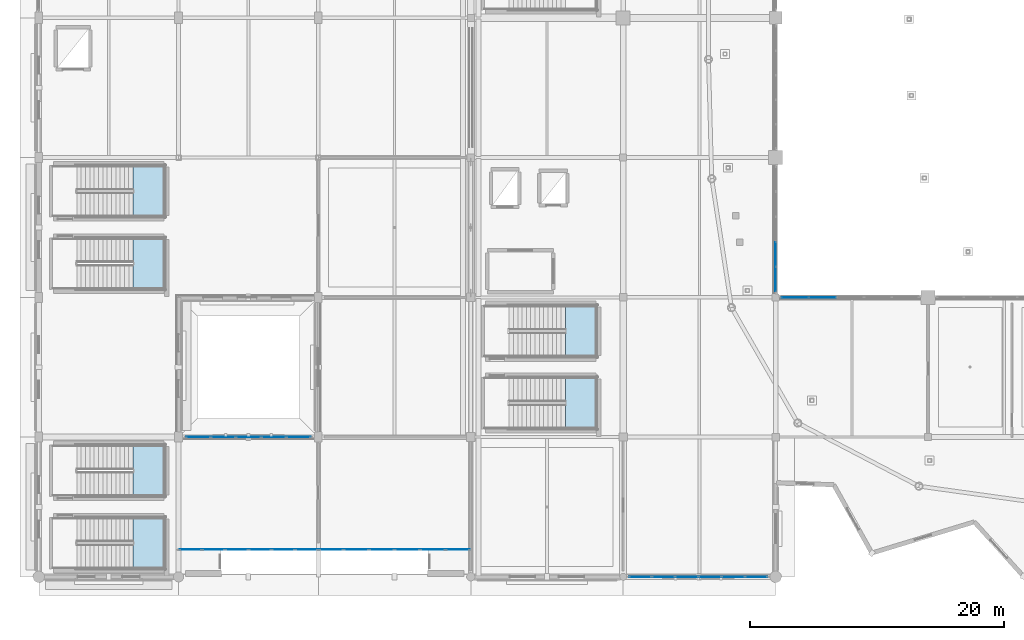
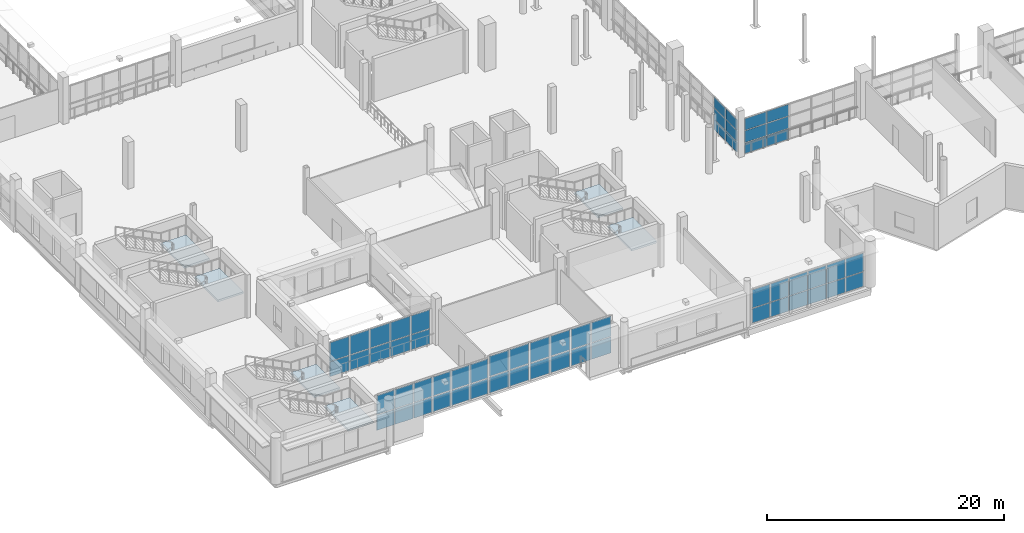
# One storey, part 73 of 143: 58 plates, 6 slabs, 12 elements without a shape of their own.
"""IFC4 building model written with IfcOpenShell, lengths in metres."""

from ifc_helpers import new_model, si_unit, direction, frame, origin, origin_2d, place, context, subcontext, project, spatial, polyline, rectangle, outline, extrude, material, layer, layer_set, type_object, element, aggregate, save


model = new_model("IFC4")

# Units and contexts
model_context = context("Model", 3, precision=1e-05, world=origin(), true_north=direction((0.0, 1.0)))
body_context = subcontext(model_context, "Body", "Model", "MODEL_VIEW")
ifc_project = project(units=[si_unit("LENGTHUNIT", "METRE"), si_unit("AREAUNIT", "SQUARE_METRE"), si_unit("VOLUMEUNIT", "CUBIC_METRE"), si_unit("PLANEANGLEUNIT", "RADIAN"), si_unit("MASSUNIT", "GRAM", prefix="KILO")], contexts=[model_context])

# Site, building, storey
site_placement = place(None, origin())
site = spatial("IfcSite", under=ifc_project, at=site_placement, CompositionType="ELEMENT")
building_placement = place(site_placement, origin())
building = spatial("IfcBuilding", under=site, at=building_placement, Name="Luwafu Chhajja Arena", CompositionType="ELEMENT")
storey_placement = place(building_placement, frame((0.0, 0.0, 5.39990234375)))
storey = spatial("IfcBuildingStorey", under=building, at=storey_placement, Name="L01", CompositionType="ELEMENT", Elevation=5.39990234375)

# Stair, slab
ifc_material_1 = material(Name="Concrete C35/45", Category="concrete")
stair_type_1 = type_object("IfcStairType", Name="Quadrant Protected Dog-Leg Stair 1920", PredefinedType="HALF_TURN_STAIR", material=ifc_material_1)
stair_1_placement = place(storey_placement, origin())
stair_1 = element("IfcStair", 1, at=stair_1_placement, inside=storey, type_object=stair_type_1, Name="L01 Protected Escape Stair ST-01", PredefinedType="HALF_TURN_STAIR")
ifc_layer_1 = layer(ifc_material_1, 0.199951171875, Name="Concrete C35/45")
ifc_layer_set_1 = layer_set([ifc_layer_1], Name="Concrete C35/45")
slab_type = type_object("IfcSlabType", Name="Escape Stair Landing Slab 200", PredefinedType="LANDING", material=ifc_layer_set_1)
slab_1_placement = place(storey_placement, frame((0.0, 0.0, 2.2001953125)))
slab_1 = element("IfcSlab", 2, at=slab_1_placement, type_object=slab_type, Name="ST-01 landing 1", PredefinedType="LANDING", context=body_context, shape_type="SweptSolid", body=[
    extrude(outline(polyline([(41.43994140625, 11.64990234375), (43.89990234375, 11.64990234375), (43.89990234375, 15.68994140625), (41.43994140625, 15.68994140625), (41.43994140625, 11.64990234375)])), origin(), (0.0, 0.0, 1.0), 0.199951171875),
])
aggregate(stair_1, [slab_1])

stair_2_placement = place(storey_placement, origin())
stair_2 = element("IfcStair", 3, at=stair_2_placement, inside=storey, type_object=stair_type_1, Name="L01 Protected Escape Stair ST-02", PredefinedType="HALF_TURN_STAIR")
slab_2_placement = place(storey_placement, frame((0.0, 0.0, 2.2001953125)))
slab_2 = element("IfcSlab", 4, at=slab_2_placement, type_object=slab_type, Name="ST-02 landing 1", PredefinedType="LANDING", context=body_context, shape_type="SweptSolid", body=[
    extrude(outline(polyline([(41.43994140625, 17.31005859375), (43.89990234375, 17.31005859375), (43.89990234375, 21.35009765625), (41.43994140625, 21.35009765625), (41.43994140625, 17.31005859375)])), origin(), (0.0, 0.0, 1.0), 0.199951171875),
])
aggregate(stair_2, [slab_2])

stair_type_2 = type_object("IfcStairType", Name="Wing Protected Dog-Leg Stair 1900", PredefinedType="HALF_TURN_STAIR", material=ifc_material_1)
stair_3_placement = place(storey_placement, origin())
stair_3 = element("IfcStair", 5, at=stair_3_placement, inside=storey, type_object=stair_type_2, Name="L01 Protected Escape Stair ST-13", PredefinedType="HALF_TURN_STAIR")
slab_3_placement = place(storey_placement, frame((0.0, 0.0, 2.2001953125)))
slab_3 = element("IfcSlab", 6, at=slab_3_placement, type_object=slab_type, Name="ST-13 landing 1", PredefinedType="LANDING", context=body_context, shape_type="SweptSolid", body=[
    extrude(outline(polyline([(7.419921875, 22.64990234375), (9.89990234375, 22.64990234375), (9.89990234375, 26.64990234375), (7.419921875, 26.64990234375), (7.419921875, 22.64990234375)])), origin(), (0.0, 0.0, 1.0), 0.199951171875),
])
aggregate(stair_3, [slab_3])

stair_4_placement = place(storey_placement, origin())
stair_4 = element("IfcStair", 7, at=stair_4_placement, inside=storey, type_object=stair_type_2, Name="L01 Protected Escape Stair ST-14", PredefinedType="HALF_TURN_STAIR")
slab_4_placement = place(storey_placement, frame((0.0, 0.0, 2.2001953125)))
slab_4 = element("IfcSlab", 8, at=slab_4_placement, type_object=slab_type, Name="ST-14 landing 1", PredefinedType="LANDING", context=body_context, shape_type="SweptSolid", body=[
    extrude(outline(polyline([(7.419921875, 28.35009765625), (9.89990234375, 28.35009765625), (9.89990234375, 32.35009765625), (7.419921875, 32.35009765625), (7.419921875, 28.35009765625)])), origin(), (0.0, 0.0, 1.0), 0.199951171875),
])
aggregate(stair_4, [slab_4])

stair_5_placement = place(storey_placement, origin())
stair_5 = element("IfcStair", 9, at=stair_5_placement, inside=storey, type_object=stair_type_2, Name="L01 Protected Escape Stair ST-17", PredefinedType="HALF_TURN_STAIR")
slab_5_placement = place(storey_placement, frame((0.0, 0.0, 2.2001953125)))
slab_5 = element("IfcSlab", 10, at=slab_5_placement, type_object=slab_type, Name="ST-17 landing 1", PredefinedType="LANDING", context=body_context, shape_type="SweptSolid", body=[
    extrude(outline(polyline([(7.419921875, 0.64990234375), (9.89990234375, 0.64990234375), (9.89990234375, 4.64990234375), (7.419921875, 4.64990234375), (7.419921875, 0.64990234375)])), origin(), (0.0, 0.0, 1.0), 0.199951171875),
])
aggregate(stair_5, [slab_5])

stair_6_placement = place(storey_placement, origin())
stair_6 = element("IfcStair", 11, at=stair_6_placement, inside=storey, type_object=stair_type_2, Name="L01 Protected Escape Stair ST-18", PredefinedType="HALF_TURN_STAIR")
slab_6_placement = place(storey_placement, frame((0.0, 0.0, 2.2001953125)))
slab_6 = element("IfcSlab", 12, at=slab_6_placement, type_object=slab_type, Name="ST-18 landing 1", PredefinedType="LANDING", context=body_context, shape_type="SweptSolid", body=[
    extrude(outline(polyline([(7.419921875, 6.35009765625), (9.89990234375, 6.35009765625), (9.89990234375, 10.35009765625), (7.419921875, 10.35009765625), (7.419921875, 6.35009765625)])), origin(), (0.0, 0.0, 1.0), 0.199951171875),
])
aggregate(stair_6, [slab_6])

# Curtain wall, plates
ifc_material_2 = material(Name="Anodised bronze aluminium", Category="aluminium")
curtain_wall_type_1 = type_object("IfcCurtainWallType", Name="Warm-Up Gallery Curtain Wall", PredefinedType="USERDEFINED", material=ifc_material_2)
curtain_wall_1_placement = place(storey_placement, origin())
curtain_wall_1 = element("IfcCurtainWall", 13, at=curtain_wall_1_placement, inside=storey, type_object=curtain_wall_type_1, Name="L01 Curtain Wall CWG-L01-H01_01", ObjectType="CURTAIN WALL", PredefinedType="USERDEFINED")
ifc_layer_2 = layer(ifc_material_2, 0.050048828125, Name="Anodised bronze aluminium")
ifc_layer_set_2 = layer_set([ifc_layer_2], Name="Anodised bronze aluminium")
plate_type_1 = type_object("IfcPlateType", Name="Insulated Bronze Spandrel Panel 50", PredefinedType="CURTAIN_PANEL", material=ifc_layer_set_2)
plate_1_placement = place(storey_placement, frame((12.549560546875, 11.0, 0.10009765625), z_axis=(0.0, 0.0, 1.0), x_axis=(1.0, 0.0, 0.0)))
plate_1 = element("IfcPlate", 14, at=plate_1_placement, type_object=plate_type_1, Name="CW-08 panel 1.1", PredefinedType="CURTAIN_PANEL", context=body_context, shape_type="SweptSolid", body=[
    extrude(rectangle(XDim=1.87890625, YDim=0.050048828125, at=origin_2d()), origin(), (0.0, 0.0, 1.0), 1.525390625),
])
plate_2_placement = place(storey_placement, frame((12.549560546875, 11.0, 1.69580078125), z_axis=(0.0, 0.0, 1.0), x_axis=(1.0, 0.0, 0.0)))
plate_2 = element("IfcPlate", 15, at=plate_2_placement, type_object=plate_type_1, Name="CW-08 panel 1.2", PredefinedType="CURTAIN_PANEL", context=body_context, shape_type="SweptSolid", body=[
    extrude(rectangle(XDim=1.87890625, YDim=0.050048828125, at=origin_2d()), origin(), (0.0, 0.0, 1.0), 1.924560546875),
])
plate_3_placement = place(storey_placement, frame((14.51611328125, 11.0, 0.10009765625), z_axis=(0.0, 0.0, 1.0), x_axis=(1.0, 0.0, 0.0)))
plate_3 = element("IfcPlate", 16, at=plate_3_placement, type_object=plate_type_1, Name="CW-08 panel 2.1", PredefinedType="CURTAIN_PANEL", context=body_context, shape_type="SweptSolid", body=[
    extrude(rectangle(XDim=1.9140625, YDim=0.050048828125, at=origin_2d()), origin(), (0.0, 0.0, 1.0), 1.525390625),
])
plate_4_placement = place(storey_placement, frame((14.51611328125, 11.0, 1.69580078125), z_axis=(0.0, 0.0, 1.0), x_axis=(1.0, 0.0, 0.0)))
plate_4 = element("IfcPlate", 17, at=plate_4_placement, type_object=plate_type_1, Name="CW-08 panel 2.2", PredefinedType="CURTAIN_PANEL", context=body_context, shape_type="SweptSolid", body=[
    extrude(rectangle(XDim=1.9140625, YDim=0.050048828125, at=origin_2d()), origin(), (0.0, 0.0, 1.0), 1.924560546875),
])
plate_5_placement = place(storey_placement, frame((16.5, 11.0, 0.10009765625), z_axis=(0.0, 0.0, 1.0), x_axis=(1.0, 0.0, 0.0)))
plate_5 = element("IfcPlate", 18, at=plate_5_placement, type_object=plate_type_1, Name="CW-08 panel 3.1", PredefinedType="CURTAIN_PANEL", context=body_context, shape_type="SweptSolid", body=[
    extrude(rectangle(XDim=1.9140625, YDim=0.050048828125, at=origin_2d()), origin(), (0.0, 0.0, 1.0), 1.525390625),
])
plate_6_placement = place(storey_placement, frame((16.5, 11.0, 1.69580078125), z_axis=(0.0, 0.0, 1.0), x_axis=(1.0, 0.0, 0.0)))
plate_6 = element("IfcPlate", 19, at=plate_6_placement, type_object=plate_type_1, Name="CW-08 panel 3.2", PredefinedType="CURTAIN_PANEL", context=body_context, shape_type="SweptSolid", body=[
    extrude(rectangle(XDim=1.9140625, YDim=0.050048828125, at=origin_2d()), origin(), (0.0, 0.0, 1.0), 1.924560546875),
])
plate_7_placement = place(storey_placement, frame((18.48388671875, 11.0, 0.10009765625), z_axis=(0.0, 0.0, 1.0), x_axis=(1.0, 0.0, 0.0)))
plate_7 = element("IfcPlate", 20, at=plate_7_placement, type_object=plate_type_1, Name="CW-08 panel 4.1", PredefinedType="CURTAIN_PANEL", context=body_context, shape_type="SweptSolid", body=[
    extrude(rectangle(XDim=1.9140625, YDim=0.050048828125, at=origin_2d()), origin(), (0.0, 0.0, 1.0), 1.525390625),
])
plate_8_placement = place(storey_placement, frame((18.48388671875, 11.0, 1.69580078125), z_axis=(0.0, 0.0, 1.0), x_axis=(1.0, 0.0, 0.0)))
plate_8 = element("IfcPlate", 21, at=plate_8_placement, type_object=plate_type_1, Name="CW-08 panel 4.2", PredefinedType="CURTAIN_PANEL", context=body_context, shape_type="SweptSolid", body=[
    extrude(rectangle(XDim=1.9140625, YDim=0.050048828125, at=origin_2d()), origin(), (0.0, 0.0, 1.0), 1.924560546875),
])
plate_9_placement = place(storey_placement, frame((20.450439453125, 11.0, 0.10009765625), z_axis=(0.0, 0.0, 1.0), x_axis=(1.0, 0.0, 0.0)))
plate_9 = element("IfcPlate", 22, at=plate_9_placement, type_object=plate_type_1, Name="CW-08 panel 5.1", PredefinedType="CURTAIN_PANEL", context=body_context, shape_type="SweptSolid", body=[
    extrude(rectangle(XDim=1.87890625, YDim=0.050048828125, at=origin_2d()), origin(), (0.0, 0.0, 1.0), 1.525390625),
])
plate_10_placement = place(storey_placement, frame((20.450439453125, 11.0, 1.69580078125), z_axis=(0.0, 0.0, 1.0), x_axis=(1.0, 0.0, 0.0)))
plate_10 = element("IfcPlate", 23, at=plate_10_placement, type_object=plate_type_1, Name="CW-08 panel 5.2", PredefinedType="CURTAIN_PANEL", context=body_context, shape_type="SweptSolid", body=[
    extrude(rectangle(XDim=1.87890625, YDim=0.050048828125, at=origin_2d()), origin(), (0.0, 0.0, 1.0), 1.924560546875),
])
aggregate(curtain_wall_1, [plate_1, plate_2, plate_3, plate_4, plate_5, plate_6, plate_7, plate_8, plate_9, plate_10])

curtain_wall_type_2 = type_object("IfcCurtainWallType", Name="Pishtaq Monumental Portal Curtain Wall", PredefinedType="USERDEFINED", material=ifc_material_2)
curtain_wall_2_placement = place(storey_placement, origin())
curtain_wall_2 = element("IfcCurtainWall", 24, at=curtain_wall_2_placement, inside=storey, type_object=curtain_wall_type_2, Name="L01 Curtain Wall CWG-L01-H01_00", ObjectType="CURTAIN WALL", PredefinedType="USERDEFINED")
ifc_material_3 = material(Name="Solar-control laminated glass", Category="glass")
ifc_layer_3 = layer(ifc_material_3, 0.0419921875, Name="Solar-control laminated glass")
ifc_layer_set_3 = layer_set([ifc_layer_3], Name="Solar-control laminated glass")
plate_type_2 = type_object("IfcPlateType", Name="Pishtaq Tall Laminated Glazed Panel 42", PredefinedType="CURTAIN_PANEL", material=ifc_layer_set_3)
plate_11_placement = place(storey_placement, frame((11.936767578125, 2.14990234375, 0.1103515625), z_axis=(0.0, 0.0, 1.0), x_axis=(1.0, 0.0, 0.0)))
plate_11 = element("IfcPlate", 25, at=plate_11_placement, type_object=plate_type_2, Name="CW-04 panel 1.1", PredefinedType="CURTAIN_PANEL", context=body_context, shape_type="SweptSolid", body=[
    extrude(rectangle(XDim=1.71337890625, YDim=0.0419921875, at=origin_2d()), origin(), (0.0, 0.0, 1.0), 1.555419921875),
])
plate_12_placement = place(storey_placement, frame((11.936767578125, 2.14990234375, 1.74560546875), z_axis=(0.0, 0.0, 1.0), x_axis=(1.0, 0.0, 0.0)))
plate_12 = element("IfcPlate", 26, at=plate_12_placement, type_object=plate_type_2, Name="CW-04 panel 1.2", PredefinedType="CURTAIN_PANEL", context=body_context, shape_type="SweptSolid", body=[
    extrude(rectangle(XDim=1.71337890625, YDim=0.0419921875, at=origin_2d()), origin(), (0.0, 0.0, 1.0), 1.964599609375),
])
plate_13_placement = place(storey_placement, frame((13.75, 2.14990234375, 0.1103515625), z_axis=(0.0, 0.0, 1.0), x_axis=(1.0, 0.0, 0.0)))
plate_13 = element("IfcPlate", 27, at=plate_13_placement, type_object=plate_type_2, Name="CW-04 panel 2.1", PredefinedType="CURTAIN_PANEL", context=body_context, shape_type="SweptSolid", body=[
    extrude(rectangle(XDim=1.75341796875, YDim=0.0419921875, at=origin_2d()), origin(), (0.0, 0.0, 1.0), 1.555419921875),
])
plate_14_placement = place(storey_placement, frame((13.75, 2.14990234375, 1.74560546875), z_axis=(0.0, 0.0, 1.0), x_axis=(1.0, 0.0, 0.0)))
plate_14 = element("IfcPlate", 28, at=plate_14_placement, type_object=plate_type_2, Name="CW-04 panel 2.2", PredefinedType="CURTAIN_PANEL", context=body_context, shape_type="SweptSolid", body=[
    extrude(rectangle(XDim=1.75341796875, YDim=0.0419921875, at=origin_2d()), origin(), (0.0, 0.0, 1.0), 1.964599609375),
])
plate_15_placement = place(storey_placement, frame((15.583251953125, 2.14990234375, 0.1103515625), z_axis=(0.0, 0.0, 1.0), x_axis=(1.0, 0.0, 0.0)))
plate_15 = element("IfcPlate", 29, at=plate_15_placement, type_object=plate_type_2, Name="CW-04 panel 3.1", PredefinedType="CURTAIN_PANEL", context=body_context, shape_type="SweptSolid", body=[
    extrude(rectangle(XDim=1.75341796875, YDim=0.0419921875, at=origin_2d()), origin(), (0.0, 0.0, 1.0), 1.555419921875),
])
plate_16_placement = place(storey_placement, frame((15.583251953125, 2.14990234375, 1.74560546875), z_axis=(0.0, 0.0, 1.0), x_axis=(1.0, 0.0, 0.0)))
plate_16 = element("IfcPlate", 30, at=plate_16_placement, type_object=plate_type_2, Name="CW-04 panel 3.2", PredefinedType="CURTAIN_PANEL", context=body_context, shape_type="SweptSolid", body=[
    extrude(rectangle(XDim=1.75341796875, YDim=0.0419921875, at=origin_2d()), origin(), (0.0, 0.0, 1.0), 1.964599609375),
])
plate_17_placement = place(storey_placement, frame((17.416748046875, 2.14990234375, 0.1103515625), z_axis=(0.0, 0.0, 1.0), x_axis=(1.0, 0.0, 0.0)))
plate_17 = element("IfcPlate", 31, at=plate_17_placement, type_object=plate_type_2, Name="CW-04 panel 4.1", PredefinedType="CURTAIN_PANEL", context=body_context, shape_type="SweptSolid", body=[
    extrude(rectangle(XDim=1.75341796875, YDim=0.0419921875, at=origin_2d()), origin(), (0.0, 0.0, 1.0), 1.555419921875),
])
plate_18_placement = place(storey_placement, frame((17.416748046875, 2.14990234375, 1.74560546875), z_axis=(0.0, 0.0, 1.0), x_axis=(1.0, 0.0, 0.0)))
plate_18 = element("IfcPlate", 32, at=plate_18_placement, type_object=plate_type_2, Name="CW-04 panel 4.2", PredefinedType="CURTAIN_PANEL", context=body_context, shape_type="SweptSolid", body=[
    extrude(rectangle(XDim=1.75341796875, YDim=0.0419921875, at=origin_2d()), origin(), (0.0, 0.0, 1.0), 1.964599609375),
])
plate_19_placement = place(storey_placement, frame((19.25, 2.14990234375, 0.1103515625), z_axis=(0.0, 0.0, 1.0), x_axis=(1.0, 0.0, 0.0)))
plate_19 = element("IfcPlate", 33, at=plate_19_placement, type_object=plate_type_2, Name="CW-04 panel 5.1", PredefinedType="CURTAIN_PANEL", context=body_context, shape_type="SweptSolid", body=[
    extrude(rectangle(XDim=1.75341796875, YDim=0.0419921875, at=origin_2d()), origin(), (0.0, 0.0, 1.0), 1.555419921875),
])
plate_20_placement = place(storey_placement, frame((19.25, 2.14990234375, 1.74560546875), z_axis=(0.0, 0.0, 1.0), x_axis=(1.0, 0.0, 0.0)))
plate_20 = element("IfcPlate", 34, at=plate_20_placement, type_object=plate_type_2, Name="CW-04 panel 5.2", PredefinedType="CURTAIN_PANEL", context=body_context, shape_type="SweptSolid", body=[
    extrude(rectangle(XDim=1.75341796875, YDim=0.0419921875, at=origin_2d()), origin(), (0.0, 0.0, 1.0), 1.964599609375),
])
plate_21_placement = place(storey_placement, frame((21.063232421875, 2.14990234375, 0.1103515625), z_axis=(0.0, 0.0, 1.0), x_axis=(1.0, 0.0, 0.0)))
plate_21 = element("IfcPlate", 35, at=plate_21_placement, type_object=plate_type_2, Name="CW-04 panel 6.1", PredefinedType="CURTAIN_PANEL", context=body_context, shape_type="SweptSolid", body=[
    extrude(rectangle(XDim=1.71337890625, YDim=0.0419921875, at=origin_2d()), origin(), (0.0, 0.0, 1.0), 1.555419921875),
])
plate_22_placement = place(storey_placement, frame((21.063232421875, 2.14990234375, 1.74560546875), z_axis=(0.0, 0.0, 1.0), x_axis=(1.0, 0.0, 0.0)))
plate_22 = element("IfcPlate", 36, at=plate_22_placement, type_object=plate_type_2, Name="CW-04 panel 6.2", PredefinedType="CURTAIN_PANEL", context=body_context, shape_type="SweptSolid", body=[
    extrude(rectangle(XDim=1.71337890625, YDim=0.0419921875, at=origin_2d()), origin(), (0.0, 0.0, 1.0), 1.964599609375),
])
aggregate(curtain_wall_2, [plate_11, plate_12, plate_13, plate_14, plate_15, plate_16, plate_17, plate_18, plate_19, plate_20, plate_21, plate_22])

curtain_wall_3_placement = place(storey_placement, origin())
curtain_wall_3 = element("IfcCurtainWall", 37, at=curtain_wall_3_placement, inside=storey, type_object=curtain_wall_type_2, Name="L01 Curtain Wall CWG-L01-H02_00", ObjectType="CURTAIN WALL", PredefinedType="USERDEFINED")
plate_23_placement = place(storey_placement, frame((23.02001953125, 2.14990234375, 0.110107421875), z_axis=(0.0, 0.0, 1.0), x_axis=(1.0, 0.0, 0.0)))
plate_23 = element("IfcPlate", 38, at=plate_23_placement, type_object=plate_type_2, Name="CW-04 panel 1.1", PredefinedType="CURTAIN_PANEL", context=body_context, shape_type="SweptSolid", body=[
    extrude(rectangle(XDim=1.8798828125, YDim=0.0419921875, at=origin_2d()), origin(), (0.0, 0.0, 1.0), 1.6455078125),
])
plate_24_placement = place(storey_placement, frame((23.02001953125, 2.14990234375, 1.83544921875), z_axis=(0.0, 0.0, 1.0), x_axis=(1.0, 0.0, 0.0)))
plate_24 = element("IfcPlate", 39, at=plate_24_placement, type_object=plate_type_2, Name="CW-04 panel 1.2", PredefinedType="CURTAIN_PANEL", context=body_context, shape_type="SweptSolid", body=[
    extrude(rectangle(XDim=1.8798828125, YDim=0.0419921875, at=origin_2d()), origin(), (0.0, 0.0, 1.0), 2.074462890625),
])
plate_25_placement = place(storey_placement, frame((25.0, 2.14990234375, 0.110107421875), z_axis=(0.0, 0.0, 1.0), x_axis=(1.0, 0.0, 0.0)))
plate_25 = element("IfcPlate", 40, at=plate_25_placement, type_object=plate_type_2, Name="CW-04 panel 2.1", PredefinedType="CURTAIN_PANEL", context=body_context, shape_type="SweptSolid", body=[
    extrude(rectangle(XDim=1.919921875, YDim=0.0419921875, at=origin_2d()), origin(), (0.0, 0.0, 1.0), 1.6455078125),
])
plate_26_placement = place(storey_placement, frame((25.0, 2.14990234375, 1.83544921875), z_axis=(0.0, 0.0, 1.0), x_axis=(1.0, 0.0, 0.0)))
plate_26 = element("IfcPlate", 41, at=plate_26_placement, type_object=plate_type_2, Name="CW-04 panel 2.2", PredefinedType="CURTAIN_PANEL", context=body_context, shape_type="SweptSolid", body=[
    extrude(rectangle(XDim=1.919921875, YDim=0.0419921875, at=origin_2d()), origin(), (0.0, 0.0, 1.0), 2.074462890625),
])
plate_27_placement = place(storey_placement, frame((27.0, 2.14990234375, 0.110107421875), z_axis=(0.0, 0.0, 1.0), x_axis=(1.0, 0.0, 0.0)))
plate_27 = element("IfcPlate", 42, at=plate_27_placement, type_object=plate_type_2, Name="CW-04 panel 3.1", PredefinedType="CURTAIN_PANEL", context=body_context, shape_type="SweptSolid", body=[
    extrude(rectangle(XDim=1.919921875, YDim=0.0419921875, at=origin_2d()), origin(), (0.0, 0.0, 1.0), 1.6455078125),
])
plate_28_placement = place(storey_placement, frame((27.0, 2.14990234375, 1.83544921875), z_axis=(0.0, 0.0, 1.0), x_axis=(1.0, 0.0, 0.0)))
plate_28 = element("IfcPlate", 43, at=plate_28_placement, type_object=plate_type_2, Name="CW-04 panel 3.2", PredefinedType="CURTAIN_PANEL", context=body_context, shape_type="SweptSolid", body=[
    extrude(rectangle(XDim=1.919921875, YDim=0.0419921875, at=origin_2d()), origin(), (0.0, 0.0, 1.0), 2.074462890625),
])
plate_29_placement = place(storey_placement, frame((29.0, 2.14990234375, 0.110107421875), z_axis=(0.0, 0.0, 1.0), x_axis=(1.0, 0.0, 0.0)))
plate_29 = element("IfcPlate", 44, at=plate_29_placement, type_object=plate_type_2, Name="CW-04 panel 4.1", PredefinedType="CURTAIN_PANEL", context=body_context, shape_type="SweptSolid", body=[
    extrude(rectangle(XDim=1.919921875, YDim=0.0419921875, at=origin_2d()), origin(), (0.0, 0.0, 1.0), 1.6455078125),
])
plate_30_placement = place(storey_placement, frame((29.0, 2.14990234375, 1.83544921875), z_axis=(0.0, 0.0, 1.0), x_axis=(1.0, 0.0, 0.0)))
plate_30 = element("IfcPlate", 45, at=plate_30_placement, type_object=plate_type_2, Name="CW-04 panel 4.2", PredefinedType="CURTAIN_PANEL", context=body_context, shape_type="SweptSolid", body=[
    extrude(rectangle(XDim=1.919921875, YDim=0.0419921875, at=origin_2d()), origin(), (0.0, 0.0, 1.0), 2.074462890625),
])
plate_31_placement = place(storey_placement, frame((31.0, 2.14990234375, 0.110107421875), z_axis=(0.0, 0.0, 1.0), x_axis=(1.0, 0.0, 0.0)))
plate_31 = element("IfcPlate", 46, at=plate_31_placement, type_object=plate_type_2, Name="CW-04 panel 5.1", PredefinedType="CURTAIN_PANEL", context=body_context, shape_type="SweptSolid", body=[
    extrude(rectangle(XDim=1.919921875, YDim=0.0419921875, at=origin_2d()), origin(), (0.0, 0.0, 1.0), 1.6455078125),
])
plate_32_placement = place(storey_placement, frame((31.0, 2.14990234375, 1.83544921875), z_axis=(0.0, 0.0, 1.0), x_axis=(1.0, 0.0, 0.0)))
plate_32 = element("IfcPlate", 47, at=plate_32_placement, type_object=plate_type_2, Name="CW-04 panel 5.2", PredefinedType="CURTAIN_PANEL", context=body_context, shape_type="SweptSolid", body=[
    extrude(rectangle(XDim=1.919921875, YDim=0.0419921875, at=origin_2d()), origin(), (0.0, 0.0, 1.0), 2.074462890625),
])
plate_33_placement = place(storey_placement, frame((32.97998046875, 2.14990234375, 0.110107421875), z_axis=(0.0, 0.0, 1.0), x_axis=(1.0, 0.0, 0.0)))
plate_33 = element("IfcPlate", 48, at=plate_33_placement, type_object=plate_type_2, Name="CW-04 panel 6.1", PredefinedType="CURTAIN_PANEL", context=body_context, shape_type="SweptSolid", body=[
    extrude(rectangle(XDim=1.8798828125, YDim=0.0419921875, at=origin_2d()), origin(), (0.0, 0.0, 1.0), 1.6455078125),
])
plate_34_placement = place(storey_placement, frame((32.97998046875, 2.14990234375, 1.83544921875), z_axis=(0.0, 0.0, 1.0), x_axis=(1.0, 0.0, 0.0)))
plate_34 = element("IfcPlate", 49, at=plate_34_placement, type_object=plate_type_2, Name="CW-04 panel 6.2", PredefinedType="CURTAIN_PANEL", context=body_context, shape_type="SweptSolid", body=[
    extrude(rectangle(XDim=1.8798828125, YDim=0.0419921875, at=origin_2d()), origin(), (0.0, 0.0, 1.0), 2.074462890625),
])
aggregate(curtain_wall_3, [plate_23, plate_24, plate_25, plate_26, plate_27, plate_28, plate_29, plate_30, plate_31, plate_32, plate_33, plate_34])

curtain_wall_type_3 = type_object("IfcCurtainWallType", Name="Foyer Luwafu Street Curtain Wall", PredefinedType="USERDEFINED", material=ifc_material_2)
curtain_wall_4_placement = place(storey_placement, origin())
curtain_wall_4 = element("IfcCurtainWall", 50, at=curtain_wall_4_placement, inside=storey, type_object=curtain_wall_type_3, Name="L01 Curtain Wall CWG-L01-H04_00", ObjectType="CURTAIN WALL", PredefinedType="USERDEFINED")
ifc_layer_4 = layer(ifc_material_3, 0.028076171875, Name="Solar-control laminated glass")
ifc_layer_set_4 = layer_set([ifc_layer_4], Name="Solar-control laminated glass")
plate_type_3 = type_object("IfcPlateType", Name="Solar Control Double Glazed CW Panel 28", PredefinedType="CURTAIN_PANEL", material=ifc_layer_set_4)
plate_35_placement = place(storey_placement, frame((47.347412109375, 0.0, 0.09521484375), z_axis=(0.0, 0.0, 1.0), x_axis=(1.0, 0.0, 0.0)))
plate_35 = element("IfcPlate", 51, at=plate_35_placement, type_object=plate_type_3, Name="CW-05 panel 1.1", PredefinedType="CURTAIN_PANEL", context=body_context, shape_type="SweptSolid", body=[
    extrude(rectangle(XDim=1.735107421875, YDim=0.028076171875, at=origin_2d()), origin(), (0.0, 0.0, 1.0), 1.488037109375),
])
plate_36_placement = place(storey_placement, frame((47.347412109375, 0.0, 1.648193359375), z_axis=(0.0, 0.0, 1.0), x_axis=(1.0, 0.0, 0.0)))
plate_36 = element("IfcPlate", 52, at=plate_36_placement, type_object=plate_type_3, Name="CW-05 panel 1.2", PredefinedType="CURTAIN_PANEL", context=body_context, shape_type="SweptSolid", body=[
    extrude(rectangle(XDim=1.735107421875, YDim=0.028076171875, at=origin_2d()), origin(), (0.0, 0.0, 1.0), 1.876953125),
])
plate_37_placement = place(storey_placement, frame((49.163818359375, 0.0, 0.09521484375), z_axis=(0.0, 0.0, 1.0), x_axis=(1.0, 0.0, 0.0)))
plate_37 = element("IfcPlate", 53, at=plate_37_placement, type_object=plate_type_3, Name="CW-05 panel 2.1", PredefinedType="CURTAIN_PANEL", context=body_context, shape_type="SweptSolid", body=[
    extrude(rectangle(XDim=1.767578125, YDim=0.028076171875, at=origin_2d()), origin(), (0.0, 0.0, 1.0), 1.488037109375),
])
plate_38_placement = place(storey_placement, frame((49.163818359375, 0.0, 1.648193359375), z_axis=(0.0, 0.0, 1.0), x_axis=(1.0, 0.0, 0.0)))
plate_38 = element("IfcPlate", 54, at=plate_38_placement, type_object=plate_type_3, Name="CW-05 panel 2.2", PredefinedType="CURTAIN_PANEL", context=body_context, shape_type="SweptSolid", body=[
    extrude(rectangle(XDim=1.767578125, YDim=0.028076171875, at=origin_2d()), origin(), (0.0, 0.0, 1.0), 1.876953125),
])
plate_39_placement = place(storey_placement, frame((50.996337890625, 0.0, 0.09521484375), z_axis=(0.0, 0.0, 1.0), x_axis=(1.0, 0.0, 0.0)))
plate_39 = element("IfcPlate", 55, at=plate_39_placement, type_object=plate_type_3, Name="CW-05 panel 3.1", PredefinedType="CURTAIN_PANEL", context=body_context, shape_type="SweptSolid", body=[
    extrude(rectangle(XDim=1.767578125, YDim=0.028076171875, at=origin_2d()), origin(), (0.0, 0.0, 1.0), 1.488037109375),
])
plate_40_placement = place(storey_placement, frame((50.996337890625, 0.0, 1.648193359375), z_axis=(0.0, 0.0, 1.0), x_axis=(1.0, 0.0, 0.0)))
plate_40 = element("IfcPlate", 56, at=plate_40_placement, type_object=plate_type_3, Name="CW-05 panel 3.2", PredefinedType="CURTAIN_PANEL", context=body_context, shape_type="SweptSolid", body=[
    extrude(rectangle(XDim=1.767578125, YDim=0.028076171875, at=origin_2d()), origin(), (0.0, 0.0, 1.0), 1.876953125),
])
plate_41_placement = place(storey_placement, frame((52.828857421875, 0.0, 0.09521484375), z_axis=(0.0, 0.0, 1.0), x_axis=(1.0, 0.0, 0.0)))
plate_41 = element("IfcPlate", 57, at=plate_41_placement, type_object=plate_type_3, Name="CW-05 panel 4.1", PredefinedType="CURTAIN_PANEL", context=body_context, shape_type="SweptSolid", body=[
    extrude(rectangle(XDim=1.767578125, YDim=0.028076171875, at=origin_2d()), origin(), (0.0, 0.0, 1.0), 1.488037109375),
])
plate_42_placement = place(storey_placement, frame((52.828857421875, 0.0, 1.648193359375), z_axis=(0.0, 0.0, 1.0), x_axis=(1.0, 0.0, 0.0)))
plate_42 = element("IfcPlate", 58, at=plate_42_placement, type_object=plate_type_3, Name="CW-05 panel 4.2", PredefinedType="CURTAIN_PANEL", context=body_context, shape_type="SweptSolid", body=[
    extrude(rectangle(XDim=1.767578125, YDim=0.028076171875, at=origin_2d()), origin(), (0.0, 0.0, 1.0), 1.876953125),
])
plate_43_placement = place(storey_placement, frame((54.6611328125, 0.0, 0.09521484375), z_axis=(0.0, 0.0, 1.0), x_axis=(1.0, 0.0, 0.0)))
plate_43 = element("IfcPlate", 59, at=plate_43_placement, type_object=plate_type_3, Name="CW-05 panel 5.1", PredefinedType="CURTAIN_PANEL", context=body_context, shape_type="SweptSolid", body=[
    extrude(rectangle(XDim=1.767578125, YDim=0.028076171875, at=origin_2d()), origin(), (0.0, 0.0, 1.0), 1.488037109375),
])
plate_44_placement = place(storey_placement, frame((54.6611328125, 0.0, 1.648193359375), z_axis=(0.0, 0.0, 1.0), x_axis=(1.0, 0.0, 0.0)))
plate_44 = element("IfcPlate", 60, at=plate_44_placement, type_object=plate_type_3, Name="CW-05 panel 5.2", PredefinedType="CURTAIN_PANEL", context=body_context, shape_type="SweptSolid", body=[
    extrude(rectangle(XDim=1.767578125, YDim=0.028076171875, at=origin_2d()), origin(), (0.0, 0.0, 1.0), 1.876953125),
])
plate_45_placement = place(storey_placement, frame((56.4775390625, 0.0, 0.09521484375), z_axis=(0.0, 0.0, 1.0), x_axis=(1.0, 0.0, 0.0)))
plate_45 = element("IfcPlate", 61, at=plate_45_placement, type_object=plate_type_3, Name="CW-05 panel 6.1", PredefinedType="CURTAIN_PANEL", context=body_context, shape_type="SweptSolid", body=[
    extrude(rectangle(XDim=1.735107421875, YDim=0.028076171875, at=origin_2d()), origin(), (0.0, 0.0, 1.0), 1.488037109375),
])
plate_46_placement = place(storey_placement, frame((56.4775390625, 0.0, 1.648193359375), z_axis=(0.0, 0.0, 1.0), x_axis=(1.0, 0.0, 0.0)))
plate_46 = element("IfcPlate", 62, at=plate_46_placement, type_object=plate_type_3, Name="CW-05 panel 6.2", PredefinedType="CURTAIN_PANEL", context=body_context, shape_type="SweptSolid", body=[
    extrude(rectangle(XDim=1.735107421875, YDim=0.028076171875, at=origin_2d()), origin(), (0.0, 0.0, 1.0), 1.876953125),
])
aggregate(curtain_wall_4, [plate_35, plate_36, plate_37, plate_38, plate_39, plate_40, plate_41, plate_42, plate_43, plate_44, plate_45, plate_46])

curtain_wall_type_4 = type_object("IfcCurtainWallType", Name="Bowl Concourse Chord Curtain Wall", PredefinedType="USERDEFINED", material=ifc_material_2)
curtain_wall_5_placement = place(storey_placement, origin())
curtain_wall_5 = element("IfcCurtainWall", 63, at=curtain_wall_5_placement, inside=storey, type_object=curtain_wall_type_4, Name="L01 Bowl Viewing Curtain Wall CWR-L01-01", ObjectType="CURTAIN WALL", PredefinedType="USERDEFINED")
plate_47_placement = place(storey_placement, frame((59.51953125, 22.0, 0.06005859375), z_axis=(0.0, 0.0, 1.0), x_axis=(1.0, 0.0, 0.0)))
plate_47 = element("IfcPlate", 64, at=plate_47_placement, type_object=plate_type_3, Name="CW-01 panel 1.1", PredefinedType="CURTAIN_PANEL", context=body_context, shape_type="SweptSolid", body=[
    extrude(rectangle(XDim=2.089111328125, YDim=0.028076171875, at=origin_2d()), origin(), (0.0, 0.0, 1.0), 1.06005859375),
])
plate_48_placement = place(storey_placement, frame((59.51953125, 22.0, 1.18017578125), z_axis=(0.0, 0.0, 1.0), x_axis=(1.0, 0.0, 0.0)))
plate_48 = element("IfcPlate", 65, at=plate_48_placement, type_object=plate_type_3, Name="CW-01 panel 1.2", PredefinedType="CURTAIN_PANEL", context=body_context, shape_type="SweptSolid", body=[
    extrude(rectangle(XDim=2.089111328125, YDim=0.028076171875, at=origin_2d()), origin(), (0.0, 0.0, 1.0), 1.21826171875),
])
plate_49_placement = place(storey_placement, frame((59.51953125, 22.0, 2.45849609375), z_axis=(0.0, 0.0, 1.0), x_axis=(1.0, 0.0, 0.0)))
plate_49 = element("IfcPlate", 66, at=plate_49_placement, type_object=plate_type_3, Name="CW-01 panel 1.3", PredefinedType="CURTAIN_PANEL", context=body_context, shape_type="SweptSolid", body=[
    extrude(rectangle(XDim=2.089111328125, YDim=0.028076171875, at=origin_2d()), origin(), (0.0, 0.0, 1.0), 1.188232421875),
])
plate_50_placement = place(storey_placement, frame((61.68359375, 22.0, 0.06005859375), z_axis=(0.0, 0.0, 1.0), x_axis=(1.0, 0.0, 0.0)))
plate_50 = element("IfcPlate", 67, at=plate_50_placement, type_object=plate_type_3, Name="CW-01 panel 2.1", PredefinedType="CURTAIN_PANEL", context=body_context, shape_type="SweptSolid", body=[
    extrude(rectangle(XDim=2.118896484375, YDim=0.028076171875, at=origin_2d()), origin(), (0.0, 0.0, 1.0), 1.06005859375),
])
plate_51_placement = place(storey_placement, frame((61.68359375, 22.0, 1.18017578125), z_axis=(0.0, 0.0, 1.0), x_axis=(1.0, 0.0, 0.0)))
plate_51 = element("IfcPlate", 68, at=plate_51_placement, type_object=plate_type_3, Name="CW-01 panel 2.2", PredefinedType="CURTAIN_PANEL", context=body_context, shape_type="SweptSolid", body=[
    extrude(rectangle(XDim=2.118896484375, YDim=0.028076171875, at=origin_2d()), origin(), (0.0, 0.0, 1.0), 1.21826171875),
])
plate_52_placement = place(storey_placement, frame((61.68359375, 22.0, 2.45849609375), z_axis=(0.0, 0.0, 1.0), x_axis=(1.0, 0.0, 0.0)))
plate_52 = element("IfcPlate", 69, at=plate_52_placement, type_object=plate_type_3, Name="CW-01 panel 2.3", PredefinedType="CURTAIN_PANEL", context=body_context, shape_type="SweptSolid", body=[
    extrude(rectangle(XDim=2.118896484375, YDim=0.028076171875, at=origin_2d()), origin(), (0.0, 0.0, 1.0), 1.188232421875),
])
aggregate(curtain_wall_5, [plate_47, plate_48, plate_49, plate_50, plate_51, plate_52])

curtain_wall_6_placement = place(storey_placement, origin())
curtain_wall_6 = element("IfcCurtainWall", 70, at=curtain_wall_6_placement, inside=storey, type_object=curtain_wall_type_4, Name="L01 Bowl Viewing Curtain Wall CWR-L01-15", ObjectType="CURTAIN WALL", PredefinedType="USERDEFINED")
plate_53_placement = place(storey_placement, frame((58.0, 23.41943359375, 0.06005859375), z_axis=(0.0, 0.0, 1.0), x_axis=(0.0, 1.0, 0.0)))
plate_53 = element("IfcPlate", 71, at=plate_53_placement, type_object=plate_type_3, Name="CW-01 panel 1.1", PredefinedType="CURTAIN_PANEL", context=body_context, shape_type="SweptSolid", body=[
    extrude(rectangle(XDim=1.888916015625, YDim=0.028076171875, at=origin_2d()), origin(), (0.0, 0.0, 1.0), 1.06005859375),
])
plate_54_placement = place(storey_placement, frame((58.0, 23.41943359375, 1.18017578125), z_axis=(0.0, 0.0, 1.0), x_axis=(0.0, 1.0, 0.0)))
plate_54 = element("IfcPlate", 72, at=plate_54_placement, type_object=plate_type_3, Name="CW-01 panel 1.2", PredefinedType="CURTAIN_PANEL", context=body_context, shape_type="SweptSolid", body=[
    extrude(rectangle(XDim=1.888916015625, YDim=0.028076171875, at=origin_2d()), origin(), (0.0, 0.0, 1.0), 1.110107421875),
])
plate_55_placement = place(storey_placement, frame((58.0, 23.41943359375, 2.35009765625), z_axis=(0.0, 0.0, 1.0), x_axis=(0.0, 1.0, 0.0)))
plate_55 = element("IfcPlate", 73, at=plate_55_placement, type_object=plate_type_3, Name="CW-01 panel 1.3", PredefinedType="CURTAIN_PANEL", context=body_context, shape_type="SweptSolid", body=[
    extrude(rectangle(XDim=1.888916015625, YDim=0.028076171875, at=origin_2d()), origin(), (0.0, 0.0, 1.0), 1.080078125),
])
plate_56_placement = place(storey_placement, frame((58.0, 25.383544921875, 0.06005859375), z_axis=(0.0, 0.0, 1.0), x_axis=(0.0, 1.0, 0.0)))
plate_56 = element("IfcPlate", 74, at=plate_56_placement, type_object=plate_type_3, Name="CW-01 panel 2.1", PredefinedType="CURTAIN_PANEL", context=body_context, shape_type="SweptSolid", body=[
    extrude(rectangle(XDim=1.9189453125, YDim=0.028076171875, at=origin_2d()), origin(), (0.0, 0.0, 1.0), 1.06005859375),
])
plate_57_placement = place(storey_placement, frame((58.0, 25.383544921875, 1.18017578125), z_axis=(0.0, 0.0, 1.0), x_axis=(0.0, 1.0, 0.0)))
plate_57 = element("IfcPlate", 75, at=plate_57_placement, type_object=plate_type_3, Name="CW-01 panel 2.2", PredefinedType="CURTAIN_PANEL", context=body_context, shape_type="SweptSolid", body=[
    extrude(rectangle(XDim=1.9189453125, YDim=0.028076171875, at=origin_2d()), origin(), (0.0, 0.0, 1.0), 1.110107421875),
])
plate_58_placement = place(storey_placement, frame((58.0, 25.383544921875, 2.35009765625), z_axis=(0.0, 0.0, 1.0), x_axis=(0.0, 1.0, 0.0)))
plate_58 = element("IfcPlate", 76, at=plate_58_placement, type_object=plate_type_3, Name="CW-01 panel 2.3", PredefinedType="CURTAIN_PANEL", context=body_context, shape_type="SweptSolid", body=[
    extrude(rectangle(XDim=1.9189453125, YDim=0.028076171875, at=origin_2d()), origin(), (0.0, 0.0, 1.0), 1.080078125),
])
aggregate(curtain_wall_6, [plate_53, plate_54, plate_55, plate_56, plate_57, plate_58])

save(model, "model.ifc")
